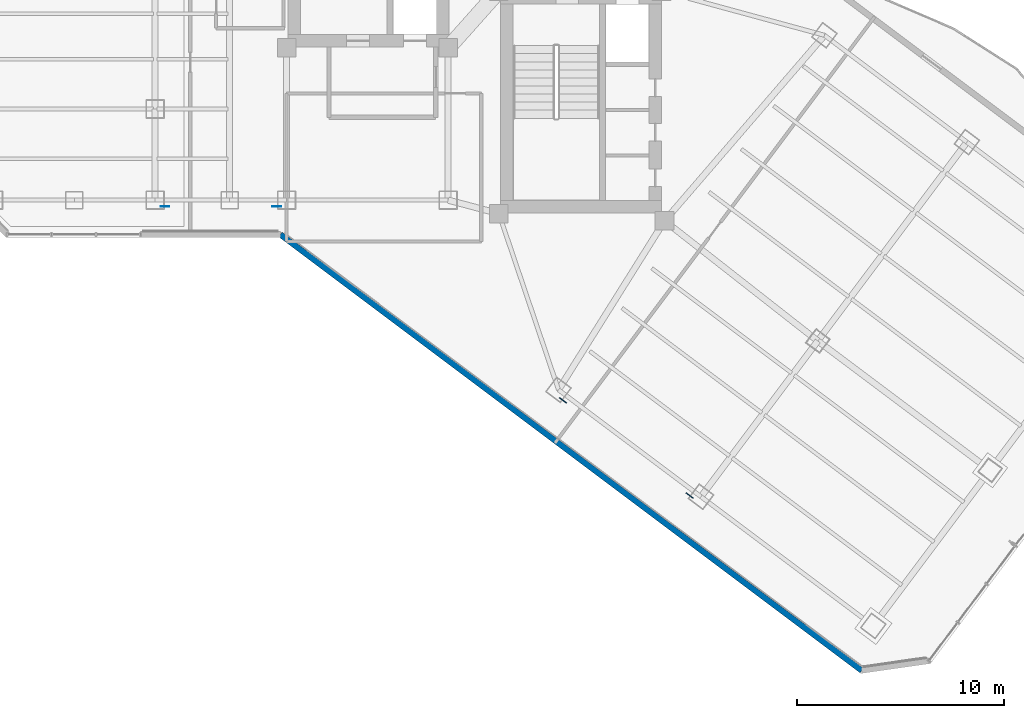
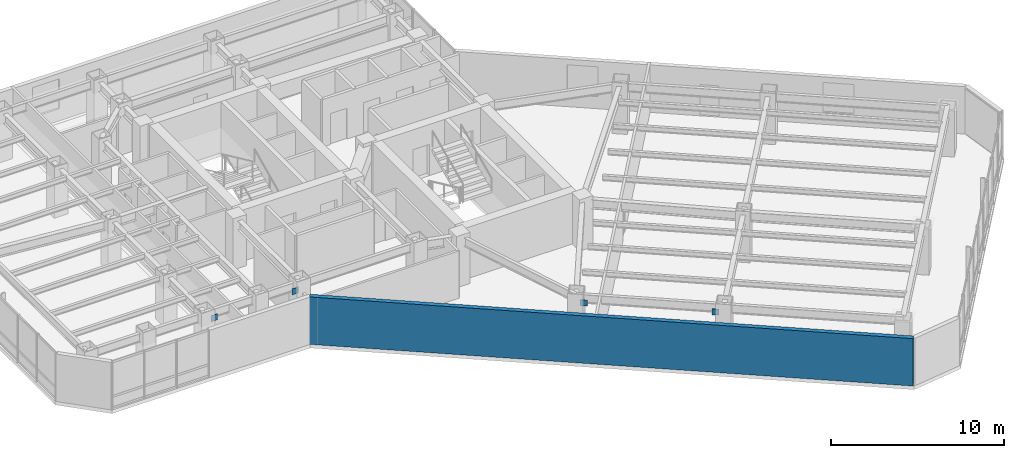
# One storey, part 21 of 29: 4 plates, 1 wall.
"""IFC4 building model written with IfcOpenShell, lengths in metres."""

from ifc_helpers import new_model, si_unit, direction, frame, frame_2d, origin, origin_2d, place, context, subcontext, project, spatial, rectangle, extrude, material, layer, layer_set, type_object, element, save


model = new_model("IFC4")

# Units and contexts
model_context = context("Model", 3, precision=1e-05, world=origin(), true_north=direction((0.0, 1.0)))
body_context = subcontext(model_context, "Body", "Model", "MODEL_VIEW")
ifc_project = project(units=[si_unit("LENGTHUNIT", "METRE"), si_unit("AREAUNIT", "SQUARE_METRE"), si_unit("VOLUMEUNIT", "CUBIC_METRE"), si_unit("PLANEANGLEUNIT", "RADIAN"), si_unit("MASSUNIT", "GRAM", prefix="KILO")], contexts=[model_context])

# Site, building, storey
site_placement = place(None, origin())
site = spatial("IfcSite", under=ifc_project, at=site_placement, CompositionType="ELEMENT")
building_placement = place(site_placement, origin())
building = spatial("IfcBuilding", under=site, at=building_placement, Name="Hatsunagi Terrace Concourse", CompositionType="ELEMENT")
storey_placement = place(building_placement, frame((0.0, 0.0, 126.449951171875)))
storey = spatial("IfcBuildingStorey", under=building, at=storey_placement, Name="L33", CompositionType="ELEMENT", Elevation=126.449951171875)

# Plates
ifc_material_1 = material(Name="Steel SN490C", Category="steel")
ifc_layer_1 = layer(ifc_material_1, 0.031982421875)
ifc_layer_set_1 = layer_set([ifc_layer_1], Name="XBraceNodeCapPlate_32")
plate_type = type_object("IfcPlateType", Name="XBraceNodeCapPlate_32", PredefinedType="USERDEFINED", material=ifc_layer_set_1)
for number, where, z_axis, x_axis, name in (
    (1, (19.675048828125, 24.89990234375, 2.7001953125), (0.0, 0.0, 1.0), (1.0, 0.0, 0.0), "Cast-In Core and Node Embed Plate GP-02 EP-XB-L31-W1-AT"),
    (2, (25.074951171875, 24.89990234375, 2.7001953125), (0.0, 0.0, 1.0), (1.0, 0.0, 0.0), "Cast-In Core and Node Embed Plate GP-02 EP-XB-L31-W1-BT"),
    (3, (38.89208984375, 15.531005859375, 2.7001953125), (0.0, 0.0, 1.0), (0.799999996291, -0.600000004945, 0.0), "Cast-In Core and Node Embed Plate GP-02 EP-XB-L31-SE-AT"),
    (4, (45.011962890625, 10.94091796875, 2.7001953125), (0.0, 0.0, 1.0), (0.799999996291, -0.600000004945, 0.0), "Cast-In Core and Node Embed Plate GP-02 EP-XB-L31-SE-BT"),
):
    element("IfcPlate", number, at=place(storey_placement, frame(where, z_axis=z_axis, x_axis=x_axis)), inside=storey, type_object=plate_type, Name=name, ObjectType="GUSSET_PLATE", PredefinedType="USERDEFINED", context=body_context, shape_type="SweptSolid", body=[
        extrude(rectangle(XDim=0.419921875, YDim=0.031982421875, at=origin_2d()), origin(), (0.0, 0.0, 1.0), 0.419921875),
    ])

# Wall
ifc_material_2 = material(Name="Autoclaved Lightweight Concrete and Terracotta Cladding", Category="masonry")
ifc_layer_2 = layer(ifc_material_2, 0.280029296875)
ifc_layer_set_2 = layer_set([ifc_layer_2], Name="TerracottaSpandrelWall_280")
wall_type = type_object("IfcWallType", Name="TerracottaSpandrelWall_280", PredefinedType="STANDARD", material=ifc_layer_set_2)
wall_placement = place(storey_placement, frame((53.318115234375, 2.487060546875, 0.0), z_axis=(0.0, 0.0, 1.0), x_axis=(-0.800004174678, 0.599994433723, 0.0)))
element("IfcWall", 5, at=wall_placement, inside=storey, type_object=wall_type, Name="Exterior Spandrel Wall EW-L33-05", PredefinedType="STANDARD", context=body_context, shape_type="SweptSolid", body=[
    extrude(rectangle(XDim=35.088623046875, YDim=0.280029296875, at=frame_2d((17.54443359375, 0.0))), origin(), (0.0, 0.0, 1.0), 3.340087890625),
])

save(model, "model.ifc")
